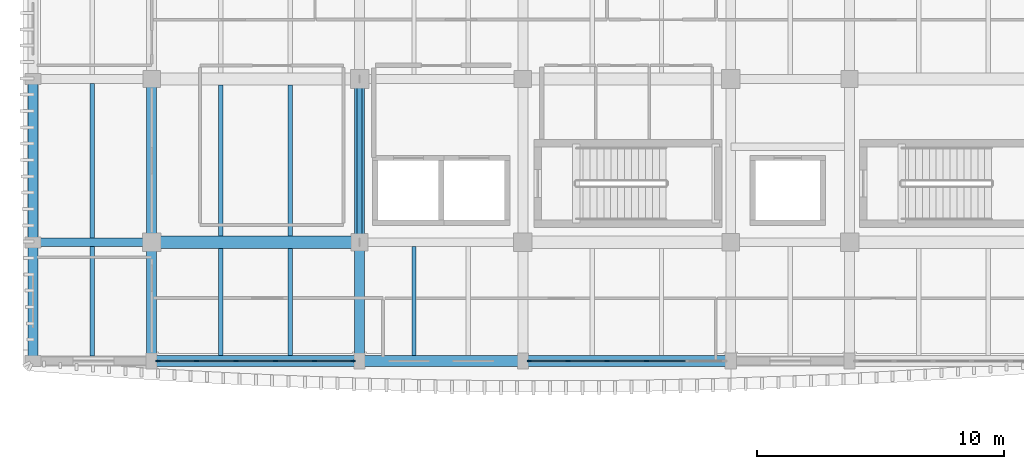
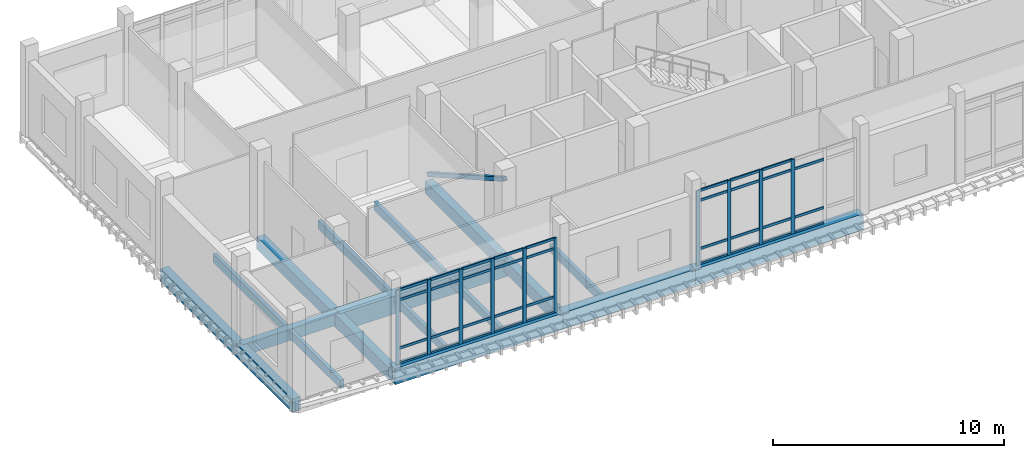
# One storey, part 2 of 39: 46 members, 18 beams, 2 elements without a shape of their own.
"""IFC4 building model written with IfcOpenShell, lengths in metres."""

from ifc_helpers import new_model, si_unit, direction, frame, origin, origin_2d, place, context, subcontext, project, spatial, rectangle, hollow_rectangle, extrude, material, material_profile, profile_set, type_object, element, aggregate, save


model = new_model("IFC4")

# Units and contexts
model_context = context("Model", 3, precision=1e-05, world=origin(), true_north=direction((0.0, 1.0)))
body_context = subcontext(model_context, "Body", "Model", "MODEL_VIEW")
ifc_project = project(units=[si_unit("LENGTHUNIT", "METRE"), si_unit("AREAUNIT", "SQUARE_METRE"), si_unit("VOLUMEUNIT", "CUBIC_METRE"), si_unit("PLANEANGLEUNIT", "RADIAN"), si_unit("MASSUNIT", "GRAM", prefix="KILO")], contexts=[model_context])

# Site, building, storey
site_placement = place(None, origin())
site = spatial("IfcSite", under=ifc_project, at=site_placement, CompositionType="ELEMENT")
building_placement = place(site_placement, origin())
building = spatial("IfcBuilding", under=site, at=building_placement, Name="Dornvale Research Institute", CompositionType="ELEMENT")
storey_placement = place(building_placement, frame((0.0, 0.0, 24.60009765625)))
storey = spatial("IfcBuildingStorey", under=building, at=storey_placement, Name="L05", CompositionType="ELEMENT", Elevation=24.60009765625)

# Beams
ifc_material_1 = material(Name="Concrete f'c 45 MPa (C35/45)", Category="concrete")
ifc_material_profile_1 = material_profile(ifc_material_1, rectangle(XDim=0.35009765625, YDim=0.60009765625, at=origin_2d()), Name="RC 350x600")
ifc_profile_set_1 = profile_set([ifc_material_profile_1], Name="Concrete f'c 45 MPa (C35/45)")
beam_type_1 = type_object("IfcBeamType", Name="Beam_RC350x600_Floor", PredefinedType="BEAM", material=ifc_profile_set_1)
beam_1_placement = place(storey_placement, frame((0.0, 103.800048828125, -0.300048828125), z_axis=(1.0, 0.0, 0.0), x_axis=(0.0, 1.0, 0.0)))
element("IfcBeam", 1, at=beam_1_placement, inside=storey, type_object=beam_type_1, Name="L05 primary girder #1329", PredefinedType="BEAM", context=body_context, shape_type="SweptSolid", body=[
    extrude(rectangle(XDim=0.35009765625, YDim=0.60009765625, at=origin_2d()), origin(), (0.0, 0.0, 1.0), 4.800048828125),
])
ifc_material_2 = material(Name="Concrete f'c 45 MPa (C35/45)", Category="concrete")
ifc_material_profile_2 = material_profile(ifc_material_2, rectangle(XDim=0.39990234375, YDim=0.64990234375, at=origin_2d()), Name="RC 400x650")
ifc_profile_set_2 = profile_set([ifc_material_profile_2], Name="Concrete f'c 45 MPa (C35/45)")
beam_type_2 = type_object("IfcBeamType", Name="Beam_RC400x650_Floor", PredefinedType="BEAM", material=ifc_profile_set_2)
beam_2_placement = place(storey_placement, frame((4.800048828125, 99.0, -0.3251953125), z_axis=(0.0, 1.0, 0.0), x_axis=(-1.0, 0.0, 0.0)))
element("IfcBeam", 2, at=beam_2_placement, inside=storey, type_object=beam_type_2, Name="L05 transverse girder #1357", PredefinedType="BEAM", context=body_context, shape_type="SweptSolid", body=[
    extrude(rectangle(XDim=0.39990234375, YDim=0.64990234375, at=origin_2d()), origin(), (0.0, 0.0, 1.0), 4.800048828125),
])
beam_3_placement = place(storey_placement, frame((4.800048828125, 103.800048828125, -0.3251953125), z_axis=(0.0, 1.0, 0.0), x_axis=(-1.0, 0.0, 0.0)))
element("IfcBeam", 3, at=beam_3_placement, inside=storey, type_object=beam_type_2, Name="L05 transverse girder #1358", PredefinedType="BEAM", context=body_context, shape_type="SweptSolid", body=[
    extrude(rectangle(XDim=0.39990234375, YDim=0.64990234375, at=origin_2d()), origin(), (0.0, 0.0, 1.0), 6.599853515625),
])
beam_4_placement = place(storey_placement, frame((13.199951171875, 99.0, -0.3251953125), z_axis=(0.0, 1.0, 0.0), x_axis=(-1.0, 0.0, 0.0)))
element("IfcBeam", 4, at=beam_4_placement, inside=storey, type_object=beam_type_2, Name="L05 transverse girder #1361", PredefinedType="BEAM", context=body_context, shape_type="SweptSolid", body=[
    extrude(rectangle(XDim=0.39990234375, YDim=0.64990234375, at=origin_2d()), origin(), (0.0, 0.0, 1.0), 4.800048828125),
])
beam_5_placement = place(storey_placement, frame((13.199951171875, 103.800048828125, -0.3251953125), z_axis=(0.0, 1.0, 0.0), x_axis=(-1.0, 0.0, 0.0)))
element("IfcBeam", 5, at=beam_5_placement, inside=storey, type_object=beam_type_2, Name="L05 transverse girder #1362", PredefinedType="BEAM", context=body_context, shape_type="SweptSolid", body=[
    extrude(rectangle(XDim=0.39990234375, YDim=0.64990234375, at=origin_2d()), origin(), (0.0, 0.0, 1.0), 6.599853515625),
])
ifc_material_3 = material(Name="Concrete f'c 45 MPa (C35/45)", Category="concrete")
ifc_material_profile_3 = material_profile(ifc_material_3, rectangle(XDim=0.5, YDim=0.949951171875, at=origin_2d()), Name="RC 500x950")
ifc_profile_set_3 = profile_set([ifc_material_profile_3], Name="Concrete f'c 45 MPa (C35/45)")
beam_type_3 = type_object("IfcBeamType", Name="Beam_RC500x950_Girder", PredefinedType="BEAM", material=ifc_profile_set_3)
beam_6_placement = place(storey_placement, frame((4.800048828125, 103.800048828125, -0.47509765625), z_axis=(1.0, 0.0, 0.0), x_axis=(0.0, 1.0, 0.0)))
element("IfcBeam", 6, at=beam_6_placement, inside=storey, type_object=beam_type_3, Name="L05 primary girder #1330", PredefinedType="BEAM", context=body_context, shape_type="SweptSolid", body=[
    extrude(rectangle(XDim=0.5, YDim=0.949951171875, at=origin_2d()), origin(), (0.0, 0.0, 1.0), 8.39990234375),
])

# Member
ifc_material_4 = material(Name="Steel ASTM A500 Grade C", Category="steel")
ifc_material_profile_4 = material_profile(ifc_material_4, hollow_rectangle(XDim=0.202880859375, YDim=0.202880859375, WallThickness=0.0087890625, at=origin_2d()), Name="HSS203X203X9.5")
ifc_profile_set_4 = profile_set([ifc_material_profile_4], Name="Steel ASTM A500 Grade C")
member_type_1 = type_object("IfcMemberType", Name="Brace_HSS203X203_Int", PredefinedType="BRACE", material=ifc_profile_set_4)
member_1_placement = place(storey_placement, frame((13.199951171875, 110.39990234375, 0.2998046875), z_axis=(0.0, -0.869451847873, 0.494017696272), x_axis=(1.0, 0.0, 0.0)))
element("IfcMember", 7, at=member_1_placement, inside=storey, type_object=member_type_1, Name="L05 seismic diagonal brace #42", PredefinedType="BRACE", context=body_context, shape_type="SweptSolid", body=[
    extrude(hollow_rectangle(XDim=0.202880859375, YDim=0.202880859375, WallThickness=0.0087890625, at=origin_2d()), origin(), (0.0, 0.0, 1.0), 7.5908203125),
])

# Beams
ifc_material_5 = material(Name="Concrete f'c 45 MPa (C35/45)", Category="concrete")
ifc_material_profile_5 = material_profile(ifc_material_5, rectangle(XDim=0.179931640625, YDim=0.43505859375, at=origin_2d()), Name="RC 180x435")
ifc_profile_set_5 = profile_set([ifc_material_profile_5], Name="Concrete f'c 45 MPa (C35/45)")
beam_type_4 = type_object("IfcBeamType", Name="Joist_RC180x435_Rib", PredefinedType="JOIST", material=ifc_profile_set_5)
beam_7_placement = place(storey_placement, frame((2.39990234375, 99.199951171875, -0.217529296875), z_axis=(0.0, 1.0, 0.0), x_axis=(-1.0, 0.0, 0.0)))
element("IfcBeam", 8, at=beam_7_placement, inside=storey, type_object=beam_type_4, Name="L05 laboratory waffle joist #625", PredefinedType="JOIST", context=body_context, shape_type="SweptSolid", body=[
    extrude(rectangle(XDim=0.179931640625, YDim=0.43505859375, at=origin_2d()), origin(), (0.0, 0.0, 1.0), 4.425048828125),
])
beam_8_placement = place(storey_placement, frame((2.39990234375, 103.97509765625, -0.217529296875), z_axis=(0.0, 1.0, 0.0), x_axis=(-1.0, 0.0, 0.0)))
element("IfcBeam", 9, at=beam_8_placement, inside=storey, type_object=beam_type_4, Name="L05 laboratory waffle joist #626", PredefinedType="JOIST", context=body_context, shape_type="SweptSolid", body=[
    extrude(rectangle(XDim=0.179931640625, YDim=0.43505859375, at=origin_2d()), origin(), (0.0, 0.0, 1.0), 6.25),
])
for number, where, z_axis, x_axis, name in (
    (10, (7.60009765625, 99.22509765625, -0.217529296875), (0.0, 1.0, 0.0), (-1.0, 0.0, 0.0), "L05 laboratory waffle joist #629"),
    (11, (10.39990234375, 99.22509765625, -0.217529296875), (0.0, 1.0, 0.0), (-1.0, 0.0, 0.0), "L05 laboratory waffle joist #630"),
):
    element("IfcBeam", number, at=place(storey_placement, frame(where, z_axis=z_axis, x_axis=x_axis)), inside=storey, type_object=beam_type_4, Name=name, PredefinedType="JOIST", context=body_context, shape_type="SweptSolid", body=[
        extrude(rectangle(XDim=0.179931640625, YDim=0.43505859375, at=origin_2d()), origin(), (0.0, 0.0, 1.0), 4.324951171875),
    ])
for number, where, z_axis, x_axis, name in (
    (12, (7.60009765625, 104.050048828125, -0.217529296875), (0.0, 1.0, 0.0), (-1.0, 0.0, 0.0), "L05 laboratory waffle joist #631"),
    (13, (10.39990234375, 104.050048828125, -0.217529296875), (0.0, 1.0, 0.0), (-1.0, 0.0, 0.0), "L05 laboratory waffle joist #632"),
):
    element("IfcBeam", number, at=place(storey_placement, frame(where, z_axis=z_axis, x_axis=x_axis)), inside=storey, type_object=beam_type_4, Name=name, PredefinedType="JOIST", context=body_context, shape_type="SweptSolid", body=[
        extrude(rectangle(XDim=0.179931640625, YDim=0.43505859375, at=origin_2d()), origin(), (0.0, 0.0, 1.0), 6.099853515625),
    ])
beam_9_placement = place(storey_placement, frame((15.39990234375, 99.22509765625, -0.217529296875), z_axis=(0.0, 1.0, 0.0), x_axis=(-1.0, 0.0, 0.0)))
element("IfcBeam", 14, at=beam_9_placement, inside=storey, type_object=beam_type_4, Name="L05 laboratory waffle joist #637", PredefinedType="JOIST", context=body_context, shape_type="SweptSolid", body=[
    extrude(rectangle(XDim=0.179931640625, YDim=0.43505859375, at=origin_2d()), origin(), (0.0, 0.0, 1.0), 4.39990234375),
])

# Curtain wall, members
ifc_material_6 = material(Name="Low-E Argon Double Insulating Glazing Unit", Category="glass")
curtain_wall_type = type_object("IfcCurtainWallType", Name="UnitisedCurtainWall_V5_7950x3950", PredefinedType="USERDEFINED", material=ifc_material_6)
curtain_wall_1_placement = place(storey_placement, origin())
curtain_wall_1 = element("IfcCurtainWall", 15, at=curtain_wall_1_placement, inside=storey, type_object=curtain_wall_type, Name="L05 V5 unitised curtain wall CW-30 #171", ObjectType="UNITISED CURTAIN WALL", PredefinedType="USERDEFINED")
ifc_material_7 = material(Name="Anodized Aluminum AA 6063-T6 Thermally Broken Frame", Category="aluminium")
ifc_material_profile_6 = material_profile(ifc_material_7, rectangle(XDim=0.06494140625, YDim=0.179931640625, at=origin_2d()), Name="ALU MULLION 65x180")
ifc_profile_set_6 = profile_set([ifc_material_profile_6], Name="Anodized Aluminum AA 6063-T6 Thermally Broken Frame")
member_type_2 = type_object("IfcMemberType", Name="Mullion_CW_65x180", PredefinedType="MULLION", material=ifc_profile_set_6)
member_2_placement = place(storey_placement, frame((24.794921875, 99.0, 0.0), z_axis=(0.0, 0.0, 1.0), x_axis=(0.0, -1.0, 0.0)))
member_2 = element("IfcMember", 16, at=member_2_placement, type_object=member_type_2, Name="CW-30 mullion 3", PredefinedType="MULLION", context=body_context, shape_type="SweptSolid", body=[
    extrude(rectangle(XDim=0.06494140625, YDim=0.179931640625, at=origin_2d()), origin(), (0.0, 0.0, 1.0), 3.949951171875),
])
member_3_placement = place(storey_placement, frame((23.205078125, 99.0, 0.0), z_axis=(0.0, 0.0, 1.0), x_axis=(0.0, -1.0, 0.0)))
member_3 = element("IfcMember", 17, at=member_3_placement, type_object=member_type_2, Name="CW-30 mullion 4", PredefinedType="MULLION", context=body_context, shape_type="SweptSolid", body=[
    extrude(rectangle(XDim=0.06494140625, YDim=0.179931640625, at=origin_2d()), origin(), (0.0, 0.0, 1.0), 3.949951171875),
])
member_4_placement = place(storey_placement, frame((21.614990234375, 99.0, 0.0), z_axis=(0.0, 0.0, 1.0), x_axis=(0.0, -1.0, 0.0)))
member_4 = element("IfcMember", 18, at=member_4_placement, type_object=member_type_2, Name="CW-30 mullion 5", PredefinedType="MULLION", context=body_context, shape_type="SweptSolid", body=[
    extrude(rectangle(XDim=0.06494140625, YDim=0.179931640625, at=origin_2d()), origin(), (0.0, 0.0, 1.0), 3.949951171875),
])
member_5_placement = place(storey_placement, frame((20.0576171875, 99.0, 0.0), z_axis=(0.0, 0.0, 1.0), x_axis=(0.0, -1.0, 0.0)))
member_5 = element("IfcMember", 19, at=member_5_placement, type_object=member_type_2, Name="CW-30 mullion 6", PredefinedType="MULLION", context=body_context, shape_type="SweptSolid", body=[
    extrude(rectangle(XDim=0.06494140625, YDim=0.179931640625, at=origin_2d()), origin(), (0.0, 0.0, 1.0), 3.949951171875),
])

curtain_wall_2_placement = place(storey_placement, origin())
curtain_wall_2 = element("IfcCurtainWall", 20, at=curtain_wall_2_placement, inside=storey, type_object=curtain_wall_type, Name="L05 V5 unitised curtain wall CW-30 #172", ObjectType="UNITISED CURTAIN WALL", PredefinedType="USERDEFINED")
member_6_placement = place(storey_placement, frame((12.9423828125, 99.0, 0.0), z_axis=(0.0, 0.0, 1.0), x_axis=(0.0, -1.0, 0.0)))
member_6 = element("IfcMember", 21, at=member_6_placement, type_object=member_type_2, Name="CW-30 mullion 1", PredefinedType="MULLION", context=body_context, shape_type="SweptSolid", body=[
    extrude(rectangle(XDim=0.06494140625, YDim=0.179931640625, at=origin_2d()), origin(), (0.0, 0.0, 1.0), 3.949951171875),
])
member_7_placement = place(storey_placement, frame((11.385009765625, 99.0, 0.0), z_axis=(0.0, 0.0, 1.0), x_axis=(0.0, -1.0, 0.0)))
member_7 = element("IfcMember", 22, at=member_7_placement, type_object=member_type_2, Name="CW-30 mullion 2", PredefinedType="MULLION", context=body_context, shape_type="SweptSolid", body=[
    extrude(rectangle(XDim=0.06494140625, YDim=0.179931640625, at=origin_2d()), origin(), (0.0, 0.0, 1.0), 3.949951171875),
])
member_8_placement = place(storey_placement, frame((9.794921875, 99.0, 0.0), z_axis=(0.0, 0.0, 1.0), x_axis=(0.0, -1.0, 0.0)))
member_8 = element("IfcMember", 23, at=member_8_placement, type_object=member_type_2, Name="CW-30 mullion 3", PredefinedType="MULLION", context=body_context, shape_type="SweptSolid", body=[
    extrude(rectangle(XDim=0.06494140625, YDim=0.179931640625, at=origin_2d()), origin(), (0.0, 0.0, 1.0), 3.949951171875),
])
member_9_placement = place(storey_placement, frame((8.205078125, 99.0, 0.0), z_axis=(0.0, 0.0, 1.0), x_axis=(0.0, -1.0, 0.0)))
member_9 = element("IfcMember", 24, at=member_9_placement, type_object=member_type_2, Name="CW-30 mullion 4", PredefinedType="MULLION", context=body_context, shape_type="SweptSolid", body=[
    extrude(rectangle(XDim=0.06494140625, YDim=0.179931640625, at=origin_2d()), origin(), (0.0, 0.0, 1.0), 3.949951171875),
])
member_10_placement = place(storey_placement, frame((6.614990234375, 99.0, 0.0), z_axis=(0.0, 0.0, 1.0), x_axis=(0.0, -1.0, 0.0)))
member_10 = element("IfcMember", 25, at=member_10_placement, type_object=member_type_2, Name="CW-30 mullion 5", PredefinedType="MULLION", context=body_context, shape_type="SweptSolid", body=[
    extrude(rectangle(XDim=0.06494140625, YDim=0.179931640625, at=origin_2d()), origin(), (0.0, 0.0, 1.0), 3.949951171875),
])
member_11_placement = place(storey_placement, frame((5.0576171875, 99.0, 0.0), z_axis=(0.0, 0.0, 1.0), x_axis=(0.0, -1.0, 0.0)))
member_11 = element("IfcMember", 26, at=member_11_placement, type_object=member_type_2, Name="CW-30 mullion 6", PredefinedType="MULLION", context=body_context, shape_type="SweptSolid", body=[
    extrude(rectangle(XDim=0.06494140625, YDim=0.179931640625, at=origin_2d()), origin(), (0.0, 0.0, 1.0), 3.949951171875),
])

# Beams
ifc_material_8 = material(Name="Concrete f'c 45 MPa (C35/45)", Category="concrete")
ifc_material_profile_7 = material_profile(ifc_material_8, rectangle(XDim=0.39990234375, YDim=0.699951171875, at=origin_2d()), Name="RC 400x700")
ifc_profile_set_7 = profile_set([ifc_material_profile_7], Name="Concrete f'c 45 MPa (C35/45)")
beam_type_5 = type_object("IfcBeamType", Name="Spandrel_RC400x700_Ext", PredefinedType="SPANDREL", material=ifc_profile_set_7)
beam_10_placement = place(storey_placement, frame((0.0, 99.0, -0.35009765625), z_axis=(0.0, 1.0, 0.0), x_axis=(-1.0, 0.0, 0.0)))
element("IfcBeam", 27, at=beam_10_placement, inside=storey, type_object=beam_type_5, Name="L05 perimeter spandrel #1353", PredefinedType="SPANDREL", context=body_context, shape_type="SweptSolid", body=[
    extrude(rectangle(XDim=0.39990234375, YDim=0.699951171875, at=origin_2d()), origin(), (0.0, 0.0, 1.0), 4.800048828125),
])
beam_11_placement = place(storey_placement, frame((0.0, 103.800048828125, -0.35009765625), z_axis=(0.0, 1.0, 0.0), x_axis=(-1.0, 0.0, 0.0)))
element("IfcBeam", 28, at=beam_11_placement, inside=storey, type_object=beam_type_5, Name="L05 perimeter spandrel #1354", PredefinedType="SPANDREL", context=body_context, shape_type="SweptSolid", body=[
    extrude(rectangle(XDim=0.39990234375, YDim=0.699951171875, at=origin_2d()), origin(), (0.0, 0.0, 1.0), 6.599853515625),
])
ifc_material_9 = material(Name="Concrete f'c 45 MPa (C35/45)", Category="concrete")
ifc_material_profile_8 = material_profile(ifc_material_9, rectangle(XDim=0.449951171875, YDim=0.85009765625, at=origin_2d()), Name="RC 450x850")
ifc_profile_set_8 = profile_set([ifc_material_profile_8], Name="Concrete f'c 45 MPa (C35/45)")
beam_type_6 = type_object("IfcBeamType", Name="Spandrel_RC450x850_Ext", PredefinedType="SPANDREL", material=ifc_profile_set_8)
beam_12_placement = place(storey_placement, frame((4.800048828125, 99.0, -0.425048828125), z_axis=(1.0, 0.0, 0.0), x_axis=(0.0, 1.0, 0.0)))
element("IfcBeam", 29, at=beam_12_placement, inside=storey, type_object=beam_type_6, Name="L05 perimeter spandrel #1324", PredefinedType="SPANDREL", context=body_context, shape_type="SweptSolid", body=[
    extrude(rectangle(XDim=0.449951171875, YDim=0.85009765625, at=origin_2d()), origin(), (0.0, 0.0, 1.0), 8.39990234375),
])
beam_13_placement = place(storey_placement, frame((13.199951171875, 99.0, -0.425048828125), z_axis=(1.0, 0.0, 0.0), x_axis=(0.0, 1.0, 0.0)))
element("IfcBeam", 30, at=beam_13_placement, inside=storey, type_object=beam_type_6, Name="L05 perimeter spandrel #1325", PredefinedType="SPANDREL", context=body_context, shape_type="SweptSolid", body=[
    extrude(rectangle(XDim=0.449951171875, YDim=0.85009765625, at=origin_2d()), origin(), (0.0, 0.0, 1.0), 6.60009765625),
])
beam_14_placement = place(storey_placement, frame((19.800048828125, 99.0, -0.425048828125), z_axis=(1.0, 0.0, 0.0), x_axis=(0.0, 1.0, 0.0)))
element("IfcBeam", 31, at=beam_14_placement, inside=storey, type_object=beam_type_6, Name="L05 perimeter spandrel #1326", PredefinedType="SPANDREL", context=body_context, shape_type="SweptSolid", body=[
    extrude(rectangle(XDim=0.449951171875, YDim=0.85009765625, at=origin_2d()), origin(), (0.0, 0.0, 1.0), 8.39990234375),
])

# Member
ifc_material_10 = material(Name="Anodized Aluminum AA 6063-T6 Thermally Broken Frame", Category="aluminium")
ifc_material_profile_9 = material_profile(ifc_material_10, rectangle(XDim=0.06494140625, YDim=0.135009765625, at=origin_2d()), Name="ALU TRANSOM 65x135")
ifc_profile_set_9 = profile_set([ifc_material_profile_9], Name="Anodized Aluminum AA 6063-T6 Thermally Broken Frame")
member_type_3 = type_object("IfcMemberType", Name="Transom_CW_65x135", PredefinedType="USERDEFINED", material=ifc_profile_set_9)
member_12_placement = place(storey_placement, frame((26.3525390625, 99.0, 0.032470703125), z_axis=(-1.0, 0.0, 0.0), x_axis=(0.0, -1.0, 0.0)))
member_12 = element("IfcMember", 32, at=member_12_placement, type_object=member_type_3, Name="CW-30 transom 2.1", ObjectType="TRANSOM", PredefinedType="USERDEFINED", context=body_context, shape_type="SweptSolid", body=[
    extrude(rectangle(XDim=0.06494140625, YDim=0.135009765625, at=origin_2d()), origin(), (0.0, 0.0, 1.0), 1.525146484375),
])

member_13_placement = place(storey_placement, frame((26.3525390625, 99.0, 0.849853515625), z_axis=(-1.0, 0.0, 0.0), x_axis=(0.0, -1.0, 0.0)))
member_13 = element("IfcMember", 33, at=member_13_placement, type_object=member_type_3, Name="CW-30 transom 2.2", ObjectType="TRANSOM", PredefinedType="USERDEFINED", context=body_context, shape_type="SweptSolid", body=[
    extrude(rectangle(XDim=0.06494140625, YDim=0.135009765625, at=origin_2d()), origin(), (0.0, 0.0, 1.0), 1.525146484375),
])

member_14_placement = place(storey_placement, frame((26.3525390625, 99.0, 3.39990234375), z_axis=(-1.0, 0.0, 0.0), x_axis=(0.0, -1.0, 0.0)))
member_14 = element("IfcMember", 34, at=member_14_placement, type_object=member_type_3, Name="CW-30 transom 2.3", ObjectType="TRANSOM", PredefinedType="USERDEFINED", context=body_context, shape_type="SweptSolid", body=[
    extrude(rectangle(XDim=0.06494140625, YDim=0.135009765625, at=origin_2d()), origin(), (0.0, 0.0, 1.0), 1.525146484375),
])

member_15_placement = place(storey_placement, frame((24.762451171875, 99.0, 0.032470703125), z_axis=(-1.0, 0.0, 0.0), x_axis=(0.0, -1.0, 0.0)))
member_15 = element("IfcMember", 35, at=member_15_placement, type_object=member_type_3, Name="CW-30 transom 3.1", ObjectType="TRANSOM", PredefinedType="USERDEFINED", context=body_context, shape_type="SweptSolid", body=[
    extrude(rectangle(XDim=0.06494140625, YDim=0.135009765625, at=origin_2d()), origin(), (0.0, 0.0, 1.0), 1.52490234375),
])

member_16_placement = place(storey_placement, frame((24.762451171875, 99.0, 0.849853515625), z_axis=(-1.0, 0.0, 0.0), x_axis=(0.0, -1.0, 0.0)))
member_16 = element("IfcMember", 36, at=member_16_placement, type_object=member_type_3, Name="CW-30 transom 3.2", ObjectType="TRANSOM", PredefinedType="USERDEFINED", context=body_context, shape_type="SweptSolid", body=[
    extrude(rectangle(XDim=0.06494140625, YDim=0.135009765625, at=origin_2d()), origin(), (0.0, 0.0, 1.0), 1.52490234375),
])

member_17_placement = place(storey_placement, frame((24.762451171875, 99.0, 3.39990234375), z_axis=(-1.0, 0.0, 0.0), x_axis=(0.0, -1.0, 0.0)))
member_17 = element("IfcMember", 37, at=member_17_placement, type_object=member_type_3, Name="CW-30 transom 3.3", ObjectType="TRANSOM", PredefinedType="USERDEFINED", context=body_context, shape_type="SweptSolid", body=[
    extrude(rectangle(XDim=0.06494140625, YDim=0.135009765625, at=origin_2d()), origin(), (0.0, 0.0, 1.0), 1.52490234375),
])

member_18_placement = place(storey_placement, frame((24.762451171875, 99.0, 3.91748046875), z_axis=(-1.0, 0.0, 0.0), x_axis=(0.0, -1.0, 0.0)))
member_18 = element("IfcMember", 38, at=member_18_placement, type_object=member_type_3, Name="CW-30 transom 3.4", ObjectType="TRANSOM", PredefinedType="USERDEFINED", context=body_context, shape_type="SweptSolid", body=[
    extrude(rectangle(XDim=0.06494140625, YDim=0.135009765625, at=origin_2d()), origin(), (0.0, 0.0, 1.0), 1.52490234375),
])

member_19_placement = place(storey_placement, frame((23.172607421875, 99.0, 0.032470703125), z_axis=(-1.0, 0.0, 0.0), x_axis=(0.0, -1.0, 0.0)))
member_19 = element("IfcMember", 39, at=member_19_placement, type_object=member_type_3, Name="CW-30 transom 4.1", ObjectType="TRANSOM", PredefinedType="USERDEFINED", context=body_context, shape_type="SweptSolid", body=[
    extrude(rectangle(XDim=0.06494140625, YDim=0.135009765625, at=origin_2d()), origin(), (0.0, 0.0, 1.0), 1.525146484375),
])

member_20_placement = place(storey_placement, frame((23.172607421875, 99.0, 0.849853515625), z_axis=(-1.0, 0.0, 0.0), x_axis=(0.0, -1.0, 0.0)))
member_20 = element("IfcMember", 40, at=member_20_placement, type_object=member_type_3, Name="CW-30 transom 4.2", ObjectType="TRANSOM", PredefinedType="USERDEFINED", context=body_context, shape_type="SweptSolid", body=[
    extrude(rectangle(XDim=0.06494140625, YDim=0.135009765625, at=origin_2d()), origin(), (0.0, 0.0, 1.0), 1.525146484375),
])

member_21_placement = place(storey_placement, frame((23.172607421875, 99.0, 3.39990234375), z_axis=(-1.0, 0.0, 0.0), x_axis=(0.0, -1.0, 0.0)))
member_21 = element("IfcMember", 41, at=member_21_placement, type_object=member_type_3, Name="CW-30 transom 4.3", ObjectType="TRANSOM", PredefinedType="USERDEFINED", context=body_context, shape_type="SweptSolid", body=[
    extrude(rectangle(XDim=0.06494140625, YDim=0.135009765625, at=origin_2d()), origin(), (0.0, 0.0, 1.0), 1.525146484375),
])

member_22_placement = place(storey_placement, frame((23.172607421875, 99.0, 3.91748046875), z_axis=(-1.0, 0.0, 0.0), x_axis=(0.0, -1.0, 0.0)))
member_22 = element("IfcMember", 42, at=member_22_placement, type_object=member_type_3, Name="CW-30 transom 4.4", ObjectType="TRANSOM", PredefinedType="USERDEFINED", context=body_context, shape_type="SweptSolid", body=[
    extrude(rectangle(XDim=0.06494140625, YDim=0.135009765625, at=origin_2d()), origin(), (0.0, 0.0, 1.0), 1.525146484375),
])

member_23_placement = place(storey_placement, frame((21.58251953125, 99.0, 0.032470703125), z_axis=(-1.0, 0.0, 0.0), x_axis=(0.0, -1.0, 0.0)))
member_23 = element("IfcMember", 43, at=member_23_placement, type_object=member_type_3, Name="CW-30 transom 5.1", ObjectType="TRANSOM", PredefinedType="USERDEFINED", context=body_context, shape_type="SweptSolid", body=[
    extrude(rectangle(XDim=0.06494140625, YDim=0.135009765625, at=origin_2d()), origin(), (0.0, 0.0, 1.0), 1.492431640625),
])

member_24_placement = place(storey_placement, frame((21.58251953125, 99.0, 0.849853515625), z_axis=(-1.0, 0.0, 0.0), x_axis=(0.0, -1.0, 0.0)))
member_24 = element("IfcMember", 44, at=member_24_placement, type_object=member_type_3, Name="CW-30 transom 5.2", ObjectType="TRANSOM", PredefinedType="USERDEFINED", context=body_context, shape_type="SweptSolid", body=[
    extrude(rectangle(XDim=0.06494140625, YDim=0.135009765625, at=origin_2d()), origin(), (0.0, 0.0, 1.0), 1.492431640625),
])

member_25_placement = place(storey_placement, frame((21.58251953125, 99.0, 3.39990234375), z_axis=(-1.0, 0.0, 0.0), x_axis=(0.0, -1.0, 0.0)))
member_25 = element("IfcMember", 45, at=member_25_placement, type_object=member_type_3, Name="CW-30 transom 5.3", ObjectType="TRANSOM", PredefinedType="USERDEFINED", context=body_context, shape_type="SweptSolid", body=[
    extrude(rectangle(XDim=0.06494140625, YDim=0.135009765625, at=origin_2d()), origin(), (0.0, 0.0, 1.0), 1.492431640625),
])

member_26_placement = place(storey_placement, frame((21.58251953125, 99.0, 3.91748046875), z_axis=(-1.0, 0.0, 0.0), x_axis=(0.0, -1.0, 0.0)))
member_26 = element("IfcMember", 46, at=member_26_placement, type_object=member_type_3, Name="CW-30 transom 5.4", ObjectType="TRANSOM", PredefinedType="USERDEFINED", context=body_context, shape_type="SweptSolid", body=[
    extrude(rectangle(XDim=0.06494140625, YDim=0.135009765625, at=origin_2d()), origin(), (0.0, 0.0, 1.0), 1.492431640625),
])

aggregate(curtain_wall_1, [member_2, member_3, member_4, member_5, member_12, member_13, member_14, member_15, member_16, member_17, member_18, member_19, member_20, member_21, member_22, member_23, member_24, member_25, member_26])

member_27_placement = place(storey_placement, frame((12.909912109375, 99.0, 0.032470703125), z_axis=(-1.0, 0.0, 0.0), x_axis=(0.0, -1.0, 0.0)))
member_27 = element("IfcMember", 47, at=member_27_placement, type_object=member_type_3, Name="CW-30 transom 1.1", ObjectType="TRANSOM", PredefinedType="USERDEFINED", context=body_context, shape_type="SweptSolid", body=[
    extrude(rectangle(XDim=0.06494140625, YDim=0.135009765625, at=origin_2d()), origin(), (0.0, 0.0, 1.0), 1.492431640625),
])

member_28_placement = place(storey_placement, frame((12.909912109375, 99.0, 0.849853515625), z_axis=(-1.0, 0.0, 0.0), x_axis=(0.0, -1.0, 0.0)))
member_28 = element("IfcMember", 48, at=member_28_placement, type_object=member_type_3, Name="CW-30 transom 1.2", ObjectType="TRANSOM", PredefinedType="USERDEFINED", context=body_context, shape_type="SweptSolid", body=[
    extrude(rectangle(XDim=0.06494140625, YDim=0.135009765625, at=origin_2d()), origin(), (0.0, 0.0, 1.0), 1.492431640625),
])

member_29_placement = place(storey_placement, frame((12.909912109375, 99.0, 3.39990234375), z_axis=(-1.0, 0.0, 0.0), x_axis=(0.0, -1.0, 0.0)))
member_29 = element("IfcMember", 49, at=member_29_placement, type_object=member_type_3, Name="CW-30 transom 1.3", ObjectType="TRANSOM", PredefinedType="USERDEFINED", context=body_context, shape_type="SweptSolid", body=[
    extrude(rectangle(XDim=0.06494140625, YDim=0.135009765625, at=origin_2d()), origin(), (0.0, 0.0, 1.0), 1.492431640625),
])

member_30_placement = place(storey_placement, frame((12.909912109375, 99.0, 3.91748046875), z_axis=(-1.0, 0.0, 0.0), x_axis=(0.0, -1.0, 0.0)))
member_30 = element("IfcMember", 50, at=member_30_placement, type_object=member_type_3, Name="CW-30 transom 1.4", ObjectType="TRANSOM", PredefinedType="USERDEFINED", context=body_context, shape_type="SweptSolid", body=[
    extrude(rectangle(XDim=0.06494140625, YDim=0.135009765625, at=origin_2d()), origin(), (0.0, 0.0, 1.0), 1.492431640625),
])

member_31_placement = place(storey_placement, frame((11.3525390625, 99.0, 0.032470703125), z_axis=(-1.0, 0.0, 0.0), x_axis=(0.0, -1.0, 0.0)))
member_31 = element("IfcMember", 51, at=member_31_placement, type_object=member_type_3, Name="CW-30 transom 2.1", ObjectType="TRANSOM", PredefinedType="USERDEFINED", context=body_context, shape_type="SweptSolid", body=[
    extrude(rectangle(XDim=0.06494140625, YDim=0.135009765625, at=origin_2d()), origin(), (0.0, 0.0, 1.0), 1.525146484375),
])

member_32_placement = place(storey_placement, frame((11.3525390625, 99.0, 0.849853515625), z_axis=(-1.0, 0.0, 0.0), x_axis=(0.0, -1.0, 0.0)))
member_32 = element("IfcMember", 52, at=member_32_placement, type_object=member_type_3, Name="CW-30 transom 2.2", ObjectType="TRANSOM", PredefinedType="USERDEFINED", context=body_context, shape_type="SweptSolid", body=[
    extrude(rectangle(XDim=0.06494140625, YDim=0.135009765625, at=origin_2d()), origin(), (0.0, 0.0, 1.0), 1.525146484375),
])

member_33_placement = place(storey_placement, frame((11.3525390625, 99.0, 3.39990234375), z_axis=(-1.0, 0.0, 0.0), x_axis=(0.0, -1.0, 0.0)))
member_33 = element("IfcMember", 53, at=member_33_placement, type_object=member_type_3, Name="CW-30 transom 2.3", ObjectType="TRANSOM", PredefinedType="USERDEFINED", context=body_context, shape_type="SweptSolid", body=[
    extrude(rectangle(XDim=0.06494140625, YDim=0.135009765625, at=origin_2d()), origin(), (0.0, 0.0, 1.0), 1.525146484375),
])

member_34_placement = place(storey_placement, frame((11.3525390625, 99.0, 3.91748046875), z_axis=(-1.0, 0.0, 0.0), x_axis=(0.0, -1.0, 0.0)))
member_34 = element("IfcMember", 54, at=member_34_placement, type_object=member_type_3, Name="CW-30 transom 2.4", ObjectType="TRANSOM", PredefinedType="USERDEFINED", context=body_context, shape_type="SweptSolid", body=[
    extrude(rectangle(XDim=0.06494140625, YDim=0.135009765625, at=origin_2d()), origin(), (0.0, 0.0, 1.0), 1.525146484375),
])

member_35_placement = place(storey_placement, frame((9.762451171875, 99.0, 0.032470703125), z_axis=(-1.0, 0.0, 0.0), x_axis=(0.0, -1.0, 0.0)))
member_35 = element("IfcMember", 55, at=member_35_placement, type_object=member_type_3, Name="CW-30 transom 3.1", ObjectType="TRANSOM", PredefinedType="USERDEFINED", context=body_context, shape_type="SweptSolid", body=[
    extrude(rectangle(XDim=0.06494140625, YDim=0.135009765625, at=origin_2d()), origin(), (0.0, 0.0, 1.0), 1.52490234375),
])

member_36_placement = place(storey_placement, frame((9.762451171875, 99.0, 0.849853515625), z_axis=(-1.0, 0.0, 0.0), x_axis=(0.0, -1.0, 0.0)))
member_36 = element("IfcMember", 56, at=member_36_placement, type_object=member_type_3, Name="CW-30 transom 3.2", ObjectType="TRANSOM", PredefinedType="USERDEFINED", context=body_context, shape_type="SweptSolid", body=[
    extrude(rectangle(XDim=0.06494140625, YDim=0.135009765625, at=origin_2d()), origin(), (0.0, 0.0, 1.0), 1.52490234375),
])

member_37_placement = place(storey_placement, frame((9.762451171875, 99.0, 3.39990234375), z_axis=(-1.0, 0.0, 0.0), x_axis=(0.0, -1.0, 0.0)))
member_37 = element("IfcMember", 57, at=member_37_placement, type_object=member_type_3, Name="CW-30 transom 3.3", ObjectType="TRANSOM", PredefinedType="USERDEFINED", context=body_context, shape_type="SweptSolid", body=[
    extrude(rectangle(XDim=0.06494140625, YDim=0.135009765625, at=origin_2d()), origin(), (0.0, 0.0, 1.0), 1.52490234375),
])

member_38_placement = place(storey_placement, frame((9.762451171875, 99.0, 3.91748046875), z_axis=(-1.0, 0.0, 0.0), x_axis=(0.0, -1.0, 0.0)))
member_38 = element("IfcMember", 58, at=member_38_placement, type_object=member_type_3, Name="CW-30 transom 3.4", ObjectType="TRANSOM", PredefinedType="USERDEFINED", context=body_context, shape_type="SweptSolid", body=[
    extrude(rectangle(XDim=0.06494140625, YDim=0.135009765625, at=origin_2d()), origin(), (0.0, 0.0, 1.0), 1.52490234375),
])

member_39_placement = place(storey_placement, frame((8.172607421875, 99.0, 0.032470703125), z_axis=(-1.0, 0.0, 0.0), x_axis=(0.0, -1.0, 0.0)))
member_39 = element("IfcMember", 59, at=member_39_placement, type_object=member_type_3, Name="CW-30 transom 4.1", ObjectType="TRANSOM", PredefinedType="USERDEFINED", context=body_context, shape_type="SweptSolid", body=[
    extrude(rectangle(XDim=0.06494140625, YDim=0.135009765625, at=origin_2d()), origin(), (0.0, 0.0, 1.0), 1.525146484375),
])

member_40_placement = place(storey_placement, frame((8.172607421875, 99.0, 0.849853515625), z_axis=(-1.0, 0.0, 0.0), x_axis=(0.0, -1.0, 0.0)))
member_40 = element("IfcMember", 60, at=member_40_placement, type_object=member_type_3, Name="CW-30 transom 4.2", ObjectType="TRANSOM", PredefinedType="USERDEFINED", context=body_context, shape_type="SweptSolid", body=[
    extrude(rectangle(XDim=0.06494140625, YDim=0.135009765625, at=origin_2d()), origin(), (0.0, 0.0, 1.0), 1.525146484375),
])

member_41_placement = place(storey_placement, frame((8.172607421875, 99.0, 3.39990234375), z_axis=(-1.0, 0.0, 0.0), x_axis=(0.0, -1.0, 0.0)))
member_41 = element("IfcMember", 61, at=member_41_placement, type_object=member_type_3, Name="CW-30 transom 4.3", ObjectType="TRANSOM", PredefinedType="USERDEFINED", context=body_context, shape_type="SweptSolid", body=[
    extrude(rectangle(XDim=0.06494140625, YDim=0.135009765625, at=origin_2d()), origin(), (0.0, 0.0, 1.0), 1.525146484375),
])

member_42_placement = place(storey_placement, frame((8.172607421875, 99.0, 3.91748046875), z_axis=(-1.0, 0.0, 0.0), x_axis=(0.0, -1.0, 0.0)))
member_42 = element("IfcMember", 62, at=member_42_placement, type_object=member_type_3, Name="CW-30 transom 4.4", ObjectType="TRANSOM", PredefinedType="USERDEFINED", context=body_context, shape_type="SweptSolid", body=[
    extrude(rectangle(XDim=0.06494140625, YDim=0.135009765625, at=origin_2d()), origin(), (0.0, 0.0, 1.0), 1.525146484375),
])

member_43_placement = place(storey_placement, frame((6.58251953125, 99.0, 0.032470703125), z_axis=(-1.0, 0.0, 0.0), x_axis=(0.0, -1.0, 0.0)))
member_43 = element("IfcMember", 63, at=member_43_placement, type_object=member_type_3, Name="CW-30 transom 5.1", ObjectType="TRANSOM", PredefinedType="USERDEFINED", context=body_context, shape_type="SweptSolid", body=[
    extrude(rectangle(XDim=0.06494140625, YDim=0.135009765625, at=origin_2d()), origin(), (0.0, 0.0, 1.0), 1.492431640625),
])

member_44_placement = place(storey_placement, frame((6.58251953125, 99.0, 0.849853515625), z_axis=(-1.0, 0.0, 0.0), x_axis=(0.0, -1.0, 0.0)))
member_44 = element("IfcMember", 64, at=member_44_placement, type_object=member_type_3, Name="CW-30 transom 5.2", ObjectType="TRANSOM", PredefinedType="USERDEFINED", context=body_context, shape_type="SweptSolid", body=[
    extrude(rectangle(XDim=0.06494140625, YDim=0.135009765625, at=origin_2d()), origin(), (0.0, 0.0, 1.0), 1.492431640625),
])

member_45_placement = place(storey_placement, frame((6.58251953125, 99.0, 3.39990234375), z_axis=(-1.0, 0.0, 0.0), x_axis=(0.0, -1.0, 0.0)))
member_45 = element("IfcMember", 65, at=member_45_placement, type_object=member_type_3, Name="CW-30 transom 5.3", ObjectType="TRANSOM", PredefinedType="USERDEFINED", context=body_context, shape_type="SweptSolid", body=[
    extrude(rectangle(XDim=0.06494140625, YDim=0.135009765625, at=origin_2d()), origin(), (0.0, 0.0, 1.0), 1.492431640625),
])

member_46_placement = place(storey_placement, frame((6.58251953125, 99.0, 3.91748046875), z_axis=(-1.0, 0.0, 0.0), x_axis=(0.0, -1.0, 0.0)))
member_46 = element("IfcMember", 66, at=member_46_placement, type_object=member_type_3, Name="CW-30 transom 5.4", ObjectType="TRANSOM", PredefinedType="USERDEFINED", context=body_context, shape_type="SweptSolid", body=[
    extrude(rectangle(XDim=0.06494140625, YDim=0.135009765625, at=origin_2d()), origin(), (0.0, 0.0, 1.0), 1.492431640625),
])

aggregate(curtain_wall_2, [member_6, member_7, member_8, member_9, member_10, member_11, member_27, member_28, member_29, member_30, member_31, member_32, member_33, member_34, member_35, member_36, member_37, member_38, member_39, member_40, member_41, member_42, member_43, member_44, member_45, member_46])

save(model, "model.ifc")
